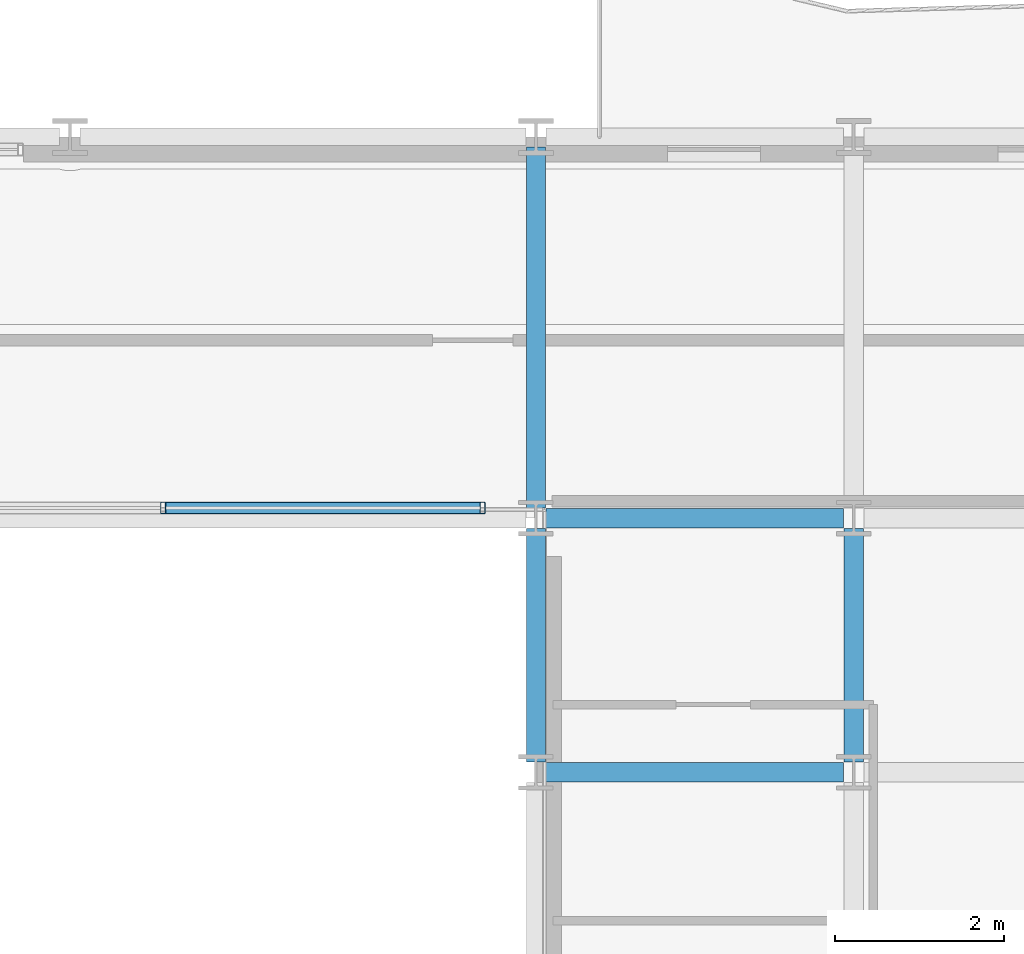
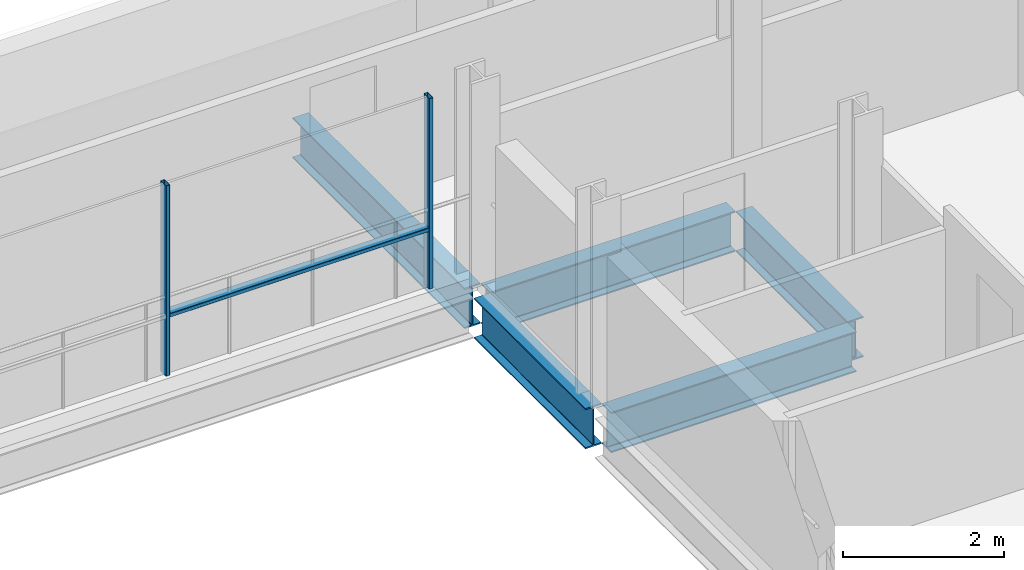
# One storey, part 17 of 41: 5 beams, 3 members, 1 element without a shape of its own.
"""IFC4 building model written with IfcOpenShell, lengths in metres."""

from ifc_helpers import new_model, si_unit, direction, frame, origin, origin_2d, place, context, subcontext, project, spatial, hollow_rectangle, i_section, extrude, material, layer, layer_set, material_profile, profile_set, type_object, element, aggregate, save


model = new_model("IFC4")

# Units and contexts
model_context = context("Model", 3, precision=1e-05, world=origin(), true_north=direction((0.0, 1.0)))
body_context = subcontext(model_context, "Body", "Model", "MODEL_VIEW")
ifc_project = project(units=[si_unit("LENGTHUNIT", "METRE"), si_unit("AREAUNIT", "SQUARE_METRE"), si_unit("VOLUMEUNIT", "CUBIC_METRE"), si_unit("PLANEANGLEUNIT", "RADIAN"), si_unit("MASSUNIT", "GRAM", prefix="KILO")], contexts=[model_context])

# Site, building, storey
site_placement = place(None, origin())
site = spatial("IfcSite", under=ifc_project, at=site_placement, CompositionType="ELEMENT")
building_placement = place(site_placement, origin())
building = spatial("IfcBuilding", under=site, at=building_placement, Name="Brevholm Reach", CompositionType="ELEMENT")
storey_placement = place(building_placement, frame((0.0, 0.0, 106.60009765625)))
storey = spatial("IfcBuildingStorey", under=building, at=storey_placement, Name="L31", CompositionType="ELEMENT", Elevation=106.60009765625)

# Beams
ifc_material_1 = material(Name="Structural Steel S355J2", Category="steel")
ifc_material_profile_1 = material_profile(ifc_material_1, i_section(OverallWidth=0.22900390625, OverallDepth=0.6123046875, WebThickness=0.011962890625, FlangeThickness=0.01953125, FilletRadius=0.0126953125, at=origin_2d()), Name="UKB 610x229x125")
ifc_profile_set_1 = profile_set([ifc_material_profile_1], Name="Structural Steel S355J2")
beam_type = type_object("IfcBeamType", Name="BM-SP610", PredefinedType="SPANDREL", material=ifc_profile_set_1)
for number, where, z_axis, x_axis, name in (
    (1, (38.3701171875, 23.5, -0.526123046875), (1.0, 0.0, 0.0), (0.0, 1.0, 0.0), "L31 SP-01 Framing Beam"),
    (2, (38.3701171875, 26.5, -0.526123046875), (1.0, 0.0, 0.0), (0.0, 1.0, 0.0), "L31 SP-01 Framing Beam"),
):
    element("IfcBeam", number, at=place(storey_placement, frame(where, z_axis=z_axis, x_axis=x_axis)), inside=storey, type_object=beam_type, Name=name, PredefinedType="SPANDREL", context=body_context, shape_type="SweptSolid", body=[
        extrude(i_section(OverallWidth=0.22900390625, OverallDepth=0.6123046875, WebThickness=0.011962890625, FlangeThickness=0.01953125, FilletRadius=0.0126953125, at=origin_2d()), origin(), (0.0, 0.0, 1.0), 3.509765625),
    ])
beam_1_placement = place(storey_placement, frame((38.25, 23.6201171875, -0.526123046875), z_axis=(0.0, 1.0, 0.0), x_axis=(-1.0, 0.0, 0.0)))
element("IfcBeam", 3, at=beam_1_placement, inside=storey, type_object=beam_type, Name="L31 SP-01 Framing Beam", PredefinedType="SPANDREL", context=body_context, shape_type="SweptSolid", body=[
    extrude(i_section(OverallWidth=0.22900390625, OverallDepth=0.6123046875, WebThickness=0.011962890625, FlangeThickness=0.01953125, FilletRadius=0.0126953125, at=origin_2d()), origin(), (0.0, 0.0, 1.0), 2.759765625),
])
beam_2_placement = place(storey_placement, frame((38.25, 26.6201171875, -0.526123046875), z_axis=(0.0, 1.0, 0.0), x_axis=(-1.0, 0.0, 0.0)))
element("IfcBeam", 4, at=beam_2_placement, inside=storey, type_object=beam_type, Name="L31 SP-01 Framing Beam", PredefinedType="SPANDREL", context=body_context, shape_type="SweptSolid", body=[
    extrude(i_section(OverallWidth=0.22900390625, OverallDepth=0.6123046875, WebThickness=0.011962890625, FlangeThickness=0.01953125, FilletRadius=0.0126953125, at=origin_2d()), origin(), (0.0, 0.0, 1.0), 4.259765625),
])
beam_3_placement = place(storey_placement, frame((42.0, 23.6201171875, -0.526123046875), z_axis=(0.0, 1.0, 0.0), x_axis=(-1.0, 0.0, 0.0)))
element("IfcBeam", 5, at=beam_3_placement, inside=storey, type_object=beam_type, Name="L31 SP-01 Framing Beam", PredefinedType="SPANDREL", context=body_context, shape_type="SweptSolid", body=[
    extrude(i_section(OverallWidth=0.22900390625, OverallDepth=0.6123046875, WebThickness=0.011962890625, FlangeThickness=0.01953125, FilletRadius=0.0126953125, at=origin_2d()), origin(), (0.0, 0.0, 1.0), 2.759765625),
])

# Curtain wall, members
ifc_material_2 = material(Name="Dark Anodised Aluminium 6063-T6 and Solar-Control Glass", Category="aluminium")
ifc_layer = layer(ifc_material_2, 0.139892578125)
ifc_layer_set = layer_set([ifc_layer], Name="Dark Anodised Aluminium 6063-T6 and Solar-Control Glass")
curtain_wall_type = type_object("IfcCurtainWallType", Name="CW-02", PredefinedType="NOTDEFINED", material=ifc_layer_set)
curtain_wall_placement = place(storey_placement, origin())
curtain_wall = element("IfcCurtainWall", 6, at=curtain_wall_placement, inside=storey, type_object=curtain_wall_type, Name="L31 Curtain Wall CW-02", PredefinedType="NOTDEFINED")
ifc_material_3 = material(Name="Dark Anodised Aluminium 6063-T6", Category="aluminium")
ifc_material_profile_2 = material_profile(ifc_material_3, hollow_rectangle(XDim=0.06005859375, YDim=0.139892578125, WallThickness=0.0048828125, InnerFilletRadius=0.0048828125, OuterFilletRadius=0.010009765625, at=origin_2d()), Name="RHS 140x60x5")
ifc_profile_set_2 = profile_set([ifc_material_profile_2], Name="Dark Anodised Aluminium 6063-T6")
member_type_1 = type_object("IfcMemberType", Name="CWM-140", PredefinedType="MULLION", material=ifc_profile_set_2)
member_1_placement = place(storey_placement, frame((37.6201171875, 26.6201171875, 0.0), z_axis=(0.0, 0.0, 1.0), x_axis=(-1.0, 0.0, 0.0)))
member_1 = element("IfcMember", 7, at=member_1_placement, type_object=member_type_1, Name="CM-140 Mullion 1", PredefinedType="MULLION", context=body_context, shape_type="SweptSolid", body=[
    extrude(hollow_rectangle(XDim=0.06005859375, YDim=0.139892578125, WallThickness=0.0048828125, InnerFilletRadius=0.0048828125, OuterFilletRadius=0.010009765625, at=origin_2d()), origin(), (0.0, 0.0, 1.0), 2.8798828125),
])
member_2_placement = place(storey_placement, frame((33.85009765625, 26.6201171875, 0.0), z_axis=(0.0, 0.0, 1.0), x_axis=(-1.0, 0.0, 0.0)))
member_2 = element("IfcMember", 8, at=member_2_placement, type_object=member_type_1, Name="CM-140 Mullion 2", PredefinedType="MULLION", context=body_context, shape_type="SweptSolid", body=[
    extrude(hollow_rectangle(XDim=0.06005859375, YDim=0.139892578125, WallThickness=0.0048828125, InnerFilletRadius=0.0048828125, OuterFilletRadius=0.010009765625, at=origin_2d()), origin(), (0.0, 0.0, 1.0), 2.8798828125),
])
ifc_material_4 = material(Name="Dark Anodised Aluminium 6063-T6", Category="aluminium")
ifc_material_profile_3 = material_profile(ifc_material_4, hollow_rectangle(XDim=0.06005859375, YDim=0.139892578125, WallThickness=0.0048828125, InnerFilletRadius=0.0048828125, OuterFilletRadius=0.010009765625, at=origin_2d()), Name="RHS 140x60x5")
ifc_profile_set_3 = profile_set([ifc_material_profile_3], Name="Dark Anodised Aluminium 6063-T6")
member_type_2 = type_object("IfcMemberType", Name="CWT-140", PredefinedType="NOTDEFINED", material=ifc_profile_set_3)
member_3_placement = place(storey_placement, frame((37.590087890625, 26.6201171875, 0.89990234375), z_axis=(-1.0, 0.0, 0.0), x_axis=(0.0, 0.0, 1.0)))
member_3 = element("IfcMember", 9, at=member_3_placement, type_object=member_type_2, Name="CT-140 Transom 1.1", ObjectType="TRANSOM", PredefinedType="USERDEFINED", context=body_context, shape_type="SweptSolid", body=[
    extrude(hollow_rectangle(XDim=0.06005859375, YDim=0.139892578125, WallThickness=0.0048828125, InnerFilletRadius=0.0048828125, OuterFilletRadius=0.010009765625, at=origin_2d()), origin(), (0.0, 0.0, 1.0), 3.710205078125),
])
aggregate(curtain_wall, [member_1, member_2, member_3])

save(model, "model.ifc")
